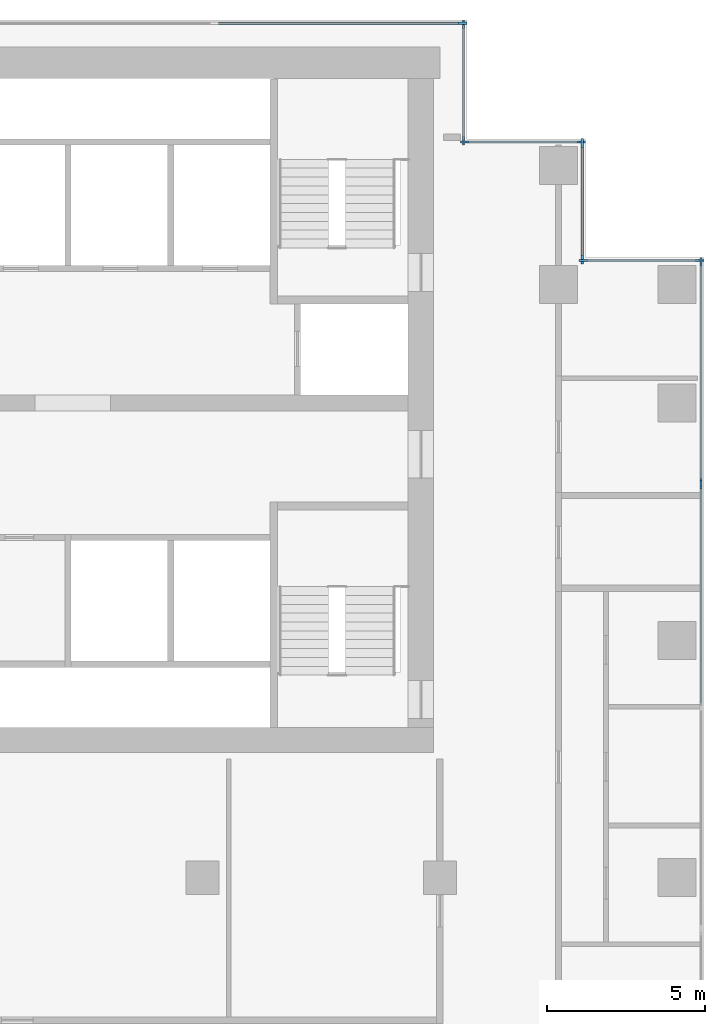
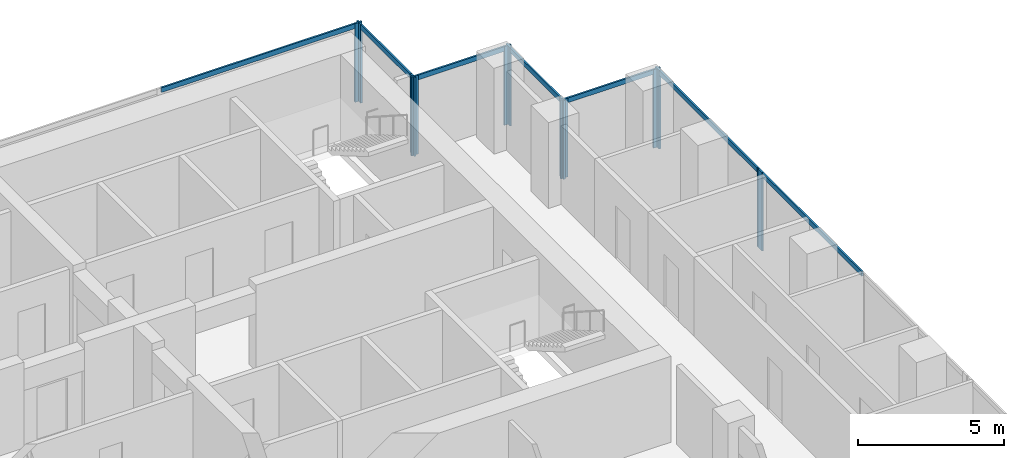
# One storey, part 5 of 10: 19 members, 7 elements without a shape of their own.
"""IFC4 building model written with IfcOpenShell, lengths in metres."""

from ifc_helpers import new_model, si_unit, direction, frame, origin, origin_2d, place, context, subcontext, project, spatial, rectangle, extrude, material, material_profile, profile_set, type_object, element, aggregate, save


model = new_model("IFC4")

# Units and contexts
model_context = context("Model", 3, precision=1e-05, world=origin(), true_north=direction((0.0, 1.0)))
body_context = subcontext(model_context, "Body", "Model", "MODEL_VIEW")
ifc_project = project(units=[si_unit("LENGTHUNIT", "METRE"), si_unit("AREAUNIT", "SQUARE_METRE"), si_unit("VOLUMEUNIT", "CUBIC_METRE"), si_unit("PLANEANGLEUNIT", "RADIAN"), si_unit("MASSUNIT", "GRAM", prefix="KILO")], contexts=[model_context])

# Site, building, storey
site_placement = place(None, origin())
site = spatial("IfcSite", under=ifc_project, at=site_placement, CompositionType="ELEMENT")
building_placement = place(site_placement, origin())
building = spatial("IfcBuilding", under=site, at=building_placement, Name="Pilkhan Gate Tower", CompositionType="ELEMENT")
storey_placement = place(building_placement, frame((0.0, 0.0, 147.699951171875)))
storey = spatial("IfcBuildingStorey", under=building, at=storey_placement, Name="L37", CompositionType="ELEMENT", Elevation=147.699951171875)

# Curtain wall, member
ifc_material_1 = material(Name="Pale anodised aluminium, clear low-iron double glazing", Category="aluminium")
curtain_wall_type = type_object("IfcCurtainWallType", Name="Office unitised curtain wall CW-O1", PredefinedType="USERDEFINED", material=ifc_material_1)
curtain_wall_1_placement = place(storey_placement, origin())
curtain_wall_1 = element("IfcCurtainWall", 1, at=curtain_wall_1_placement, inside=storey, type_object=curtain_wall_type, Name="Office unitised curtain wall CW-O1 L37 E", ObjectType="UNITISED CURTAIN WALL", PredefinedType="USERDEFINED")
ifc_material_2 = material(Name="Pale anodised aluminium", Category="aluminium")
ifc_material_profile_1 = material_profile(ifc_material_2, rectangle(XDim=0.070068359375, YDim=0.27490234375, at=origin_2d()), Name="Mullion 275x70")
ifc_profile_set_1 = profile_set([ifc_material_profile_1], Name="Pale anodised aluminium")
member_type_1 = type_object("IfcMemberType", Name="Mullion CW-O1 275x70", PredefinedType="MULLION", material=ifc_profile_set_1)
member_1_placement = place(storey_placement, frame((98.25, 79.9150390625, 0.0), z_axis=(0.0, 0.0, 1.0), x_axis=(-1.0, 0.0, 0.0)))
member_1 = element("IfcMember", 2, at=member_1_placement, type_object=member_type_1, Name="CW-O1 mullion 3", PredefinedType="MULLION", context=body_context, shape_type="SweptSolid", body=[
    extrude(rectangle(XDim=0.070068359375, YDim=0.27490234375, at=origin_2d()), origin(), (0.0, 0.0, 1.0), 3.300048828125),
])

# Curtain wall, members
curtain_wall_2_placement = place(storey_placement, origin())
curtain_wall_2 = element("IfcCurtainWall", 3, at=curtain_wall_2_placement, inside=storey, type_object=curtain_wall_type, Name="Office unitised curtain wall CW-O1 L37 E", ObjectType="UNITISED CURTAIN WALL", PredefinedType="USERDEFINED")
member_2_placement = place(storey_placement, frame((98.25, 79.985107421875, 0.0), z_axis=(0.0, 0.0, 1.0), x_axis=(-1.0, 0.0, 0.0)))
member_2 = element("IfcMember", 4, at=member_2_placement, type_object=member_type_1, Name="CW-O1 mullion 1", PredefinedType="MULLION", context=body_context, shape_type="SweptSolid", body=[
    extrude(rectangle(XDim=0.070068359375, YDim=0.27490234375, at=origin_2d()), origin(), (0.0, 0.0, 1.0), 3.300048828125),
])
member_3_placement = place(storey_placement, frame((98.25, 86.965087890625, 0.0), z_axis=(0.0, 0.0, 1.0), x_axis=(-1.0, 0.0, 0.0)))
member_3 = element("IfcMember", 5, at=member_3_placement, type_object=member_type_1, Name="CW-O1 mullion 2", PredefinedType="MULLION", context=body_context, shape_type="SweptSolid", body=[
    extrude(rectangle(XDim=0.070068359375, YDim=0.27490234375, at=origin_2d()), origin(), (0.0, 0.0, 1.0), 3.300048828125),
])

curtain_wall_3_placement = place(storey_placement, origin())
curtain_wall_3 = element("IfcCurtainWall", 6, at=curtain_wall_3_placement, inside=storey, type_object=curtain_wall_type, Name="Office unitised curtain wall CW-O1 L37 N", ObjectType="UNITISED CURTAIN WALL", PredefinedType="USERDEFINED")
member_4_placement = place(storey_placement, frame((94.534912109375, 87.0, 0.0), z_axis=(0.0, 0.0, 1.0), x_axis=(0.0, 1.0, 0.0)))
member_4 = element("IfcMember", 7, at=member_4_placement, type_object=member_type_1, Name="CW-O1 mullion 1", PredefinedType="MULLION", context=body_context, shape_type="SweptSolid", body=[
    extrude(rectangle(XDim=0.070068359375, YDim=0.27490234375, at=origin_2d()), origin(), (0.0, 0.0, 1.0), 3.300048828125),
])
member_5_placement = place(storey_placement, frame((98.215087890625, 87.0, 0.0), z_axis=(0.0, 0.0, 1.0), x_axis=(0.0, 1.0, 0.0)))
member_5 = element("IfcMember", 8, at=member_5_placement, type_object=member_type_1, Name="CW-O1 mullion 2", PredefinedType="MULLION", context=body_context, shape_type="SweptSolid", body=[
    extrude(rectangle(XDim=0.070068359375, YDim=0.27490234375, at=origin_2d()), origin(), (0.0, 0.0, 1.0), 3.300048828125),
])

curtain_wall_4_placement = place(storey_placement, origin())
curtain_wall_4 = element("IfcCurtainWall", 9, at=curtain_wall_4_placement, inside=storey, type_object=curtain_wall_type, Name="Office unitised curtain wall CW-O1 L37 E", ObjectType="UNITISED CURTAIN WALL", PredefinedType="USERDEFINED")
member_6_placement = place(storey_placement, frame((94.5, 87.034912109375, 0.0), z_axis=(0.0, 0.0, 1.0), x_axis=(-1.0, 0.0, 0.0)))
member_6 = element("IfcMember", 10, at=member_6_placement, type_object=member_type_1, Name="CW-O1 mullion 1", PredefinedType="MULLION", context=body_context, shape_type="SweptSolid", body=[
    extrude(rectangle(XDim=0.070068359375, YDim=0.27490234375, at=origin_2d()), origin(), (0.0, 0.0, 1.0), 3.300048828125),
])
member_7_placement = place(storey_placement, frame((94.5, 90.715087890625, 0.0), z_axis=(0.0, 0.0, 1.0), x_axis=(-1.0, 0.0, 0.0)))
member_7 = element("IfcMember", 11, at=member_7_placement, type_object=member_type_1, Name="CW-O1 mullion 2", PredefinedType="MULLION", context=body_context, shape_type="SweptSolid", body=[
    extrude(rectangle(XDim=0.070068359375, YDim=0.27490234375, at=origin_2d()), origin(), (0.0, 0.0, 1.0), 3.300048828125),
])

curtain_wall_5_placement = place(storey_placement, origin())
curtain_wall_5 = element("IfcCurtainWall", 12, at=curtain_wall_5_placement, inside=storey, type_object=curtain_wall_type, Name="Office unitised curtain wall CW-O1 L37 N", ObjectType="UNITISED CURTAIN WALL", PredefinedType="USERDEFINED")
member_8_placement = place(storey_placement, frame((90.784912109375, 90.75, 0.0), z_axis=(0.0, 0.0, 1.0), x_axis=(0.0, 1.0, 0.0)))
member_8 = element("IfcMember", 13, at=member_8_placement, type_object=member_type_1, Name="CW-O1 mullion 1", PredefinedType="MULLION", context=body_context, shape_type="SweptSolid", body=[
    extrude(rectangle(XDim=0.070068359375, YDim=0.27490234375, at=origin_2d()), origin(), (0.0, 0.0, 1.0), 3.300048828125),
])
member_9_placement = place(storey_placement, frame((94.465087890625, 90.75, 0.0), z_axis=(0.0, 0.0, 1.0), x_axis=(0.0, 1.0, 0.0)))
member_9 = element("IfcMember", 14, at=member_9_placement, type_object=member_type_1, Name="CW-O1 mullion 2", PredefinedType="MULLION", context=body_context, shape_type="SweptSolid", body=[
    extrude(rectangle(XDim=0.070068359375, YDim=0.27490234375, at=origin_2d()), origin(), (0.0, 0.0, 1.0), 3.300048828125),
])

curtain_wall_6_placement = place(storey_placement, origin())
curtain_wall_6 = element("IfcCurtainWall", 15, at=curtain_wall_6_placement, inside=storey, type_object=curtain_wall_type, Name="Office unitised curtain wall CW-O1 L37 E", ObjectType="UNITISED CURTAIN WALL", PredefinedType="USERDEFINED")
member_10_placement = place(storey_placement, frame((90.75, 90.784912109375, 0.0), z_axis=(0.0, 0.0, 1.0), x_axis=(-1.0, 0.0, 0.0)))
member_10 = element("IfcMember", 16, at=member_10_placement, type_object=member_type_1, Name="CW-O1 mullion 1", PredefinedType="MULLION", context=body_context, shape_type="SweptSolid", body=[
    extrude(rectangle(XDim=0.070068359375, YDim=0.27490234375, at=origin_2d()), origin(), (0.0, 0.0, 1.0), 3.300048828125),
])
member_11_placement = place(storey_placement, frame((90.75, 94.465087890625, 0.0), z_axis=(0.0, 0.0, 1.0), x_axis=(-1.0, 0.0, 0.0)))
member_11 = element("IfcMember", 17, at=member_11_placement, type_object=member_type_1, Name="CW-O1 mullion 2", PredefinedType="MULLION", context=body_context, shape_type="SweptSolid", body=[
    extrude(rectangle(XDim=0.070068359375, YDim=0.27490234375, at=origin_2d()), origin(), (0.0, 0.0, 1.0), 3.300048828125),
])

# Curtain wall, member
curtain_wall_7_placement = place(storey_placement, origin())
curtain_wall_7 = element("IfcCurtainWall", 18, at=curtain_wall_7_placement, inside=storey, type_object=curtain_wall_type, Name="Office unitised curtain wall CW-O1 L37 N", ObjectType="UNITISED CURTAIN WALL", PredefinedType="USERDEFINED")
member_12_placement = place(storey_placement, frame((90.715087890625, 94.5, 0.0), z_axis=(0.0, 0.0, 1.0), x_axis=(0.0, 1.0, 0.0)))
member_12 = element("IfcMember", 19, at=member_12_placement, type_object=member_type_1, Name="CW-O1 mullion 3", PredefinedType="MULLION", context=body_context, shape_type="SweptSolid", body=[
    extrude(rectangle(XDim=0.070068359375, YDim=0.27490234375, at=origin_2d()), origin(), (0.0, 0.0, 1.0), 3.300048828125),
])

# Member
ifc_material_profile_2 = material_profile(ifc_material_2, rectangle(XDim=0.070068359375, YDim=0.199951171875, at=origin_2d()), Name="Transom 200x70")
ifc_profile_set_2 = profile_set([ifc_material_profile_2], Name="Pale anodised aluminium")
member_type_2 = type_object("IfcMemberType", Name="Transom CW-O1 200x70", PredefinedType="USERDEFINED", material=ifc_profile_set_2)
member_13_placement = place(storey_placement, frame((98.25, 72.93505859375, 3.199951171875), z_axis=(0.0, 1.0, 0.0), x_axis=(-1.0, 0.0, 0.0)))
member_13 = element("IfcMember", 20, at=member_13_placement, type_object=member_type_2, Name="CW-O1 transom 2", ObjectType="TRANSOM", PredefinedType="USERDEFINED", context=body_context, shape_type="SweptSolid", body=[
    extrude(rectangle(XDim=0.070068359375, YDim=0.199951171875, at=origin_2d()), origin(), (0.0, 0.0, 1.0), 6.94482421875),
])

aggregate(curtain_wall_1, [member_1, member_13])

member_14_placement = place(storey_placement, frame((98.25, 80.02001953125, 3.199951171875), z_axis=(0.0, 1.0, 0.0), x_axis=(-1.0, 0.0, 0.0)))
member_14 = element("IfcMember", 21, at=member_14_placement, type_object=member_type_2, Name="CW-O1 transom 1", ObjectType="TRANSOM", PredefinedType="USERDEFINED", context=body_context, shape_type="SweptSolid", body=[
    extrude(rectangle(XDim=0.070068359375, YDim=0.199951171875, at=origin_2d()), origin(), (0.0, 0.0, 1.0), 6.909912109375),
])

aggregate(curtain_wall_2, [member_2, member_3, member_14])

member_15_placement = place(storey_placement, frame((94.570068359375, 87.0, 3.199951171875), z_axis=(1.0, 0.0, 0.0), x_axis=(0.0, 1.0, 0.0)))
member_15 = element("IfcMember", 22, at=member_15_placement, type_object=member_type_2, Name="CW-O1 transom 1", ObjectType="TRANSOM", PredefinedType="USERDEFINED", context=body_context, shape_type="SweptSolid", body=[
    extrude(rectangle(XDim=0.070068359375, YDim=0.199951171875, at=origin_2d()), origin(), (0.0, 0.0, 1.0), 3.60986328125),
])

aggregate(curtain_wall_3, [member_4, member_5, member_15])

member_16_placement = place(storey_placement, frame((94.5, 87.070068359375, 3.199951171875), z_axis=(0.0, 1.0, 0.0), x_axis=(-1.0, 0.0, 0.0)))
member_16 = element("IfcMember", 23, at=member_16_placement, type_object=member_type_2, Name="CW-O1 transom 1", ObjectType="TRANSOM", PredefinedType="USERDEFINED", context=body_context, shape_type="SweptSolid", body=[
    extrude(rectangle(XDim=0.070068359375, YDim=0.199951171875, at=origin_2d()), origin(), (0.0, 0.0, 1.0), 3.60986328125),
])

aggregate(curtain_wall_4, [member_6, member_7, member_16])

member_17_placement = place(storey_placement, frame((90.820068359375, 90.75, 3.199951171875), z_axis=(1.0, 0.0, 0.0), x_axis=(0.0, 1.0, 0.0)))
member_17 = element("IfcMember", 24, at=member_17_placement, type_object=member_type_2, Name="CW-O1 transom 1", ObjectType="TRANSOM", PredefinedType="USERDEFINED", context=body_context, shape_type="SweptSolid", body=[
    extrude(rectangle(XDim=0.070068359375, YDim=0.199951171875, at=origin_2d()), origin(), (0.0, 0.0, 1.0), 3.60986328125),
])

aggregate(curtain_wall_5, [member_8, member_9, member_17])

member_18_placement = place(storey_placement, frame((90.75, 90.820068359375, 3.199951171875), z_axis=(0.0, 1.0, 0.0), x_axis=(-1.0, 0.0, 0.0)))
member_18 = element("IfcMember", 25, at=member_18_placement, type_object=member_type_2, Name="CW-O1 transom 1", ObjectType="TRANSOM", PredefinedType="USERDEFINED", context=body_context, shape_type="SweptSolid", body=[
    extrude(rectangle(XDim=0.070068359375, YDim=0.199951171875, at=origin_2d()), origin(), (0.0, 0.0, 1.0), 3.60986328125),
])

aggregate(curtain_wall_6, [member_10, member_11, member_18])

member_19_placement = place(storey_placement, frame((82.909912109375, 94.5, 3.199951171875), z_axis=(1.0, 0.0, 0.0), x_axis=(0.0, 1.0, 0.0)))
member_19 = element("IfcMember", 26, at=member_19_placement, type_object=member_type_2, Name="CW-O1 transom 2", ObjectType="TRANSOM", PredefinedType="USERDEFINED", context=body_context, shape_type="SweptSolid", body=[
    extrude(rectangle(XDim=0.070068359375, YDim=0.199951171875, at=origin_2d()), origin(), (0.0, 0.0, 1.0), 7.77001953125),
])

aggregate(curtain_wall_7, [member_12, member_19])

save(model, "model.ifc")
